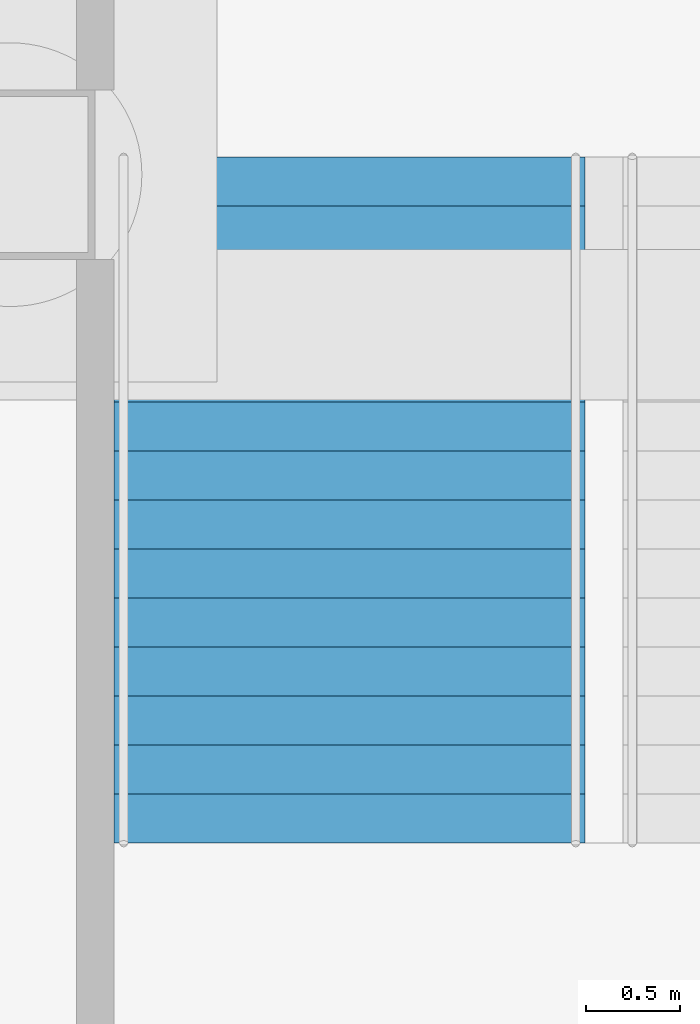
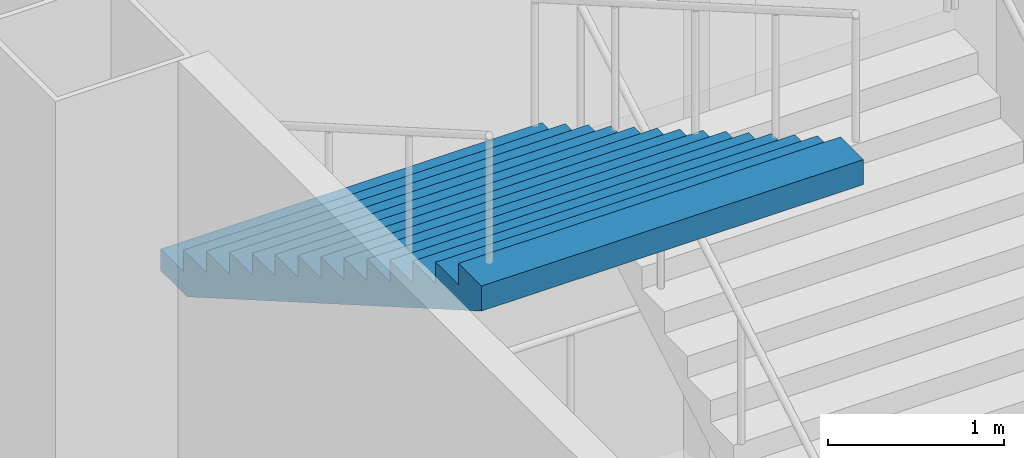
# One storey, part 49 of 113: 1 stair flight, 1 element without a shape of its own.
"""IFC4 building model written with IfcOpenShell, lengths in metres."""

from ifc_helpers import new_model, si_unit, direction, frame, origin, place, context, subcontext, project, spatial, triangles, material, type_object, element, aggregate, save


model = new_model("IFC4")

# Units and contexts
model_context = context("Model", 3, precision=1e-05, world=origin(), true_north=direction((0.0, 1.0)))
body_context = subcontext(model_context, "Body", "Model", "MODEL_VIEW")
ifc_project = project(units=[si_unit("LENGTHUNIT", "METRE"), si_unit("AREAUNIT", "SQUARE_METRE"), si_unit("VOLUMEUNIT", "CUBIC_METRE"), si_unit("PLANEANGLEUNIT", "RADIAN"), si_unit("MASSUNIT", "GRAM", prefix="KILO")], contexts=[model_context])

# Site, building, storey
site_placement = place(None, origin())
site = spatial("IfcSite", under=ifc_project, at=site_placement, CompositionType="ELEMENT")
building_placement = place(site_placement, origin())
building = spatial("IfcBuilding", under=site, at=building_placement, Name="Hakoniwa Tower and Hamabe Station Hall", CompositionType="ELEMENT")
storey_placement = place(building_placement, origin())
storey = spatial("IfcBuildingStorey", under=building, at=storey_placement, Name="L01", CompositionType="ELEMENT", Elevation=0.0)

# Stair, stair flight
ifc_material_1 = material(Name="Concrete C40", Category="concrete")
stair_type = type_object("IfcStairType", Name="STAIR 2500 15X150", PredefinedType="HALF_TURN_STAIR", material=ifc_material_1)
stair_placement = place(storey_placement, origin())
stair = element("IfcStair", 1, at=stair_placement, inside=storey, type_object=stair_type, Name="Escape stair PS4", PredefinedType="HALF_TURN_STAIR")
ifc_material_2 = material(Name="Concrete C40", Category="concrete")
stair_flight_type = type_object("IfcStairFlightType", Name="STAIR FLIGHT 2500", PredefinedType="STRAIGHT", material=ifc_material_2)
stair_flight_placement = place(storey_placement, frame((-47.800048828125, -18.7099609375, 6.75), z_axis=(0.0, 0.0, 1.0), x_axis=(0.0, -1.0, 0.0)))
stair_flight = element("IfcStairFlight", 2, at=stair_flight_placement, type_object=stair_flight_type, Name="PS4 flight 4", NumberOfRisers=15, NumberOfTreads=14, PredefinedType="STRAIGHT", RiserHeight=0.15, TreadLength=0.26, context=body_context, shape_type="Tessellation", body=[
    triangles([(0.0, 1.25, 0.0), (0.260009765625, 1.25, 0.0), (0.300048828125, 1.25, 0.0), (0.52001953125, 1.25, 0.126953125), (0.780029296875, 1.25, 0.27685546875), (1.0400390625, 1.25, 0.427001953125), (1.300048828125, 1.25, 0.576904296875), (1.56005859375, 1.25, 0.72705078125), (1.820068359375, 1.25, 0.876953125), (2.080078125, 1.25, 1.02685546875), (2.340087890625, 1.25, 1.177001953125), (2.60009765625, 1.25, 1.326904296875), (2.860107421875, 1.25, 1.47705078125), (3.1201171875, 1.25, 1.626953125), (3.3798828125, 1.25, 1.77685546875), (3.639892578125, 1.25, 1.927001953125), (3.639892578125, 1.25, 2.10009765625), (3.3798828125, 1.25, 2.10009765625), (3.3798828125, 1.25, 1.949951171875), (3.1201171875, 1.25, 1.949951171875), (3.1201171875, 1.25, 1.800048828125), (2.860107421875, 1.25, 1.800048828125), (2.860107421875, 1.25, 1.64990234375), (2.60009765625, 1.25, 1.64990234375), (2.60009765625, 1.25, 1.5), (2.340087890625, 1.25, 1.5), (2.340087890625, 1.25, 1.35009765625), (2.080078125, 1.25, 1.35009765625), (2.080078125, 1.25, 1.199951171875), (1.820068359375, 1.25, 1.199951171875), (1.820068359375, 1.25, 1.050048828125), (1.56005859375, 1.25, 1.050048828125), (1.56005859375, 1.25, 0.89990234375), (1.300048828125, 1.25, 0.89990234375), (1.300048828125, 1.25, 0.75), (1.0400390625, 1.25, 0.75), (1.0400390625, 1.25, 0.60009765625), (0.780029296875, 1.25, 0.60009765625), (0.780029296875, 1.25, 0.449951171875), (0.52001953125, 1.25, 0.449951171875), (0.52001953125, 1.25, 0.300048828125), (0.300048828125, 1.25, 0.300048828125), (0.260009765625, 1.25, 0.300048828125), (0.260009765625, 1.25, 0.14990234375), (0.0, 1.25, 0.14990234375), (0.0, 0.06005859375, 0.0), (0.260009765625, 0.06005859375, 0.0), (0.300048828125, 0.06005859375, 0.0), (0.52001953125, 0.06005859375, 0.126953125), (0.780029296875, 0.06005859375, 0.27685546875), (1.0400390625, 0.06005859375, 0.427001953125), (1.300048828125, 0.06005859375, 0.576904296875), (1.56005859375, 0.06005859375, 0.72705078125), (1.820068359375, 0.06005859375, 0.876953125), (2.080078125, 0.06005859375, 1.02685546875), (2.340087890625, 0.06005859375, 1.177001953125), (2.60009765625, 0.06005859375, 1.326904296875), (2.860107421875, 0.06005859375, 1.47705078125), (3.1201171875, 0.06005859375, 1.626953125), (3.3798828125, 0.06005859375, 1.77685546875), (3.639892578125, 0.06005859375, 1.927001953125), (3.639892578125, 0.06005859375, 2.10009765625), (3.3798828125, 0.06005859375, 2.10009765625), (3.3798828125, 0.06005859375, 1.949951171875), (3.1201171875, 0.06005859375, 1.949951171875), (3.1201171875, 0.06005859375, 1.800048828125), (2.860107421875, 0.06005859375, 1.800048828125), (2.860107421875, 0.06005859375, 1.64990234375), (2.60009765625, 0.06005859375, 1.64990234375), (2.60009765625, 0.06005859375, 1.5), (2.340087890625, 0.06005859375, 1.5), (2.340087890625, 0.06005859375, 1.35009765625), (2.080078125, 0.06005859375, 1.35009765625), (2.080078125, 0.06005859375, 1.199951171875), (1.820068359375, 0.06005859375, 1.199951171875), (1.820068359375, 0.06005859375, 1.050048828125), (1.56005859375, 0.06005859375, 1.050048828125), (1.56005859375, 0.06005859375, 0.89990234375), (1.300048828125, 0.06005859375, 0.89990234375), (1.300048828125, 0.06005859375, 0.75), (1.0400390625, 0.06005859375, 0.75), (1.0400390625, 0.06005859375, 0.60009765625), (0.780029296875, 0.06005859375, 0.60009765625), (0.780029296875, 0.06005859375, 0.449951171875), (0.52001953125, 0.06005859375, 0.449951171875), (0.52001953125, 0.06005859375, 0.300048828125), (0.300048828125, 0.06005859375, 0.300048828125), (0.260009765625, 0.06005859375, 0.300048828125), (0.260009765625, 0.06005859375, 0.14990234375), (0.0, 0.06005859375, 0.14990234375), (0.0, 0.02001953125, 0.0), (0.260009765625, 0.02001953125, 0.0), (0.300048828125, 0.02001953125, 0.0), (0.52001953125, 0.02001953125, 0.126953125), (0.780029296875, 0.02001953125, 0.27685546875), (1.0400390625, 0.02001953125, 0.427001953125), (1.300048828125, 0.02001953125, 0.576904296875), (1.56005859375, 0.02001953125, 0.72705078125), (1.820068359375, 0.02001953125, 0.876953125), (2.080078125, 0.02001953125, 1.02685546875), (2.340087890625, 0.02001953125, 1.177001953125), (2.60009765625, 0.02001953125, 1.326904296875), (2.860107421875, 0.02001953125, 1.47705078125), (3.1201171875, 0.02001953125, 1.626953125), (3.3798828125, 0.02001953125, 1.77685546875), (3.639892578125, 0.02001953125, 1.927001953125), (3.639892578125, 0.02001953125, 2.10009765625), (3.3798828125, 0.02001953125, 2.10009765625), (3.3798828125, 0.02001953125, 1.949951171875), (3.1201171875, 0.02001953125, 1.949951171875), (3.1201171875, 0.02001953125, 1.800048828125), (2.860107421875, 0.02001953125, 1.800048828125), (2.860107421875, 0.02001953125, 1.64990234375), (2.60009765625, 0.02001953125, 1.64990234375), (2.60009765625, 0.02001953125, 1.5), (2.340087890625, 0.02001953125, 1.5), (2.340087890625, 0.02001953125, 1.35009765625), (2.080078125, 0.02001953125, 1.35009765625), (2.080078125, 0.02001953125, 1.199951171875), (1.820068359375, 0.02001953125, 1.199951171875), (1.820068359375, 0.02001953125, 1.050048828125), (1.56005859375, 0.02001953125, 1.050048828125), (1.56005859375, 0.02001953125, 0.89990234375), (1.300048828125, 0.02001953125, 0.89990234375), (1.300048828125, 0.02001953125, 0.75), (1.0400390625, 0.02001953125, 0.75), (1.0400390625, 0.02001953125, 0.60009765625), (0.780029296875, 0.02001953125, 0.60009765625), (0.780029296875, 0.02001953125, 0.449951171875), (0.52001953125, 0.02001953125, 0.449951171875), (0.52001953125, 0.02001953125, 0.300048828125), (0.300048828125, 0.02001953125, 0.300048828125), (0.260009765625, 0.02001953125, 0.300048828125), (0.260009765625, 0.02001953125, 0.14990234375), (0.0, 0.02001953125, 0.14990234375), (0.0, -0.02001953125, 0.0), (0.260009765625, -0.02001953125, 0.0), (0.300048828125, -0.02001953125, 0.0), (0.52001953125, -0.02001953125, 0.126953125), (0.780029296875, -0.02001953125, 0.27685546875), (1.0400390625, -0.02001953125, 0.427001953125), (1.300048828125, -0.02001953125, 0.576904296875), (1.56005859375, -0.02001953125, 0.72705078125), (1.820068359375, -0.02001953125, 0.876953125), (2.080078125, -0.02001953125, 1.02685546875), (2.340087890625, -0.02001953125, 1.177001953125), (2.60009765625, -0.02001953125, 1.326904296875), (2.860107421875, -0.02001953125, 1.47705078125), (3.1201171875, -0.02001953125, 1.626953125), (3.3798828125, -0.02001953125, 1.77685546875), (3.639892578125, -0.02001953125, 1.927001953125), (3.639892578125, -0.02001953125, 2.10009765625), (3.3798828125, -0.02001953125, 2.10009765625), (3.3798828125, -0.02001953125, 1.949951171875), (3.1201171875, -0.02001953125, 1.949951171875), (3.1201171875, -0.02001953125, 1.800048828125), (2.860107421875, -0.02001953125, 1.800048828125), (2.860107421875, -0.02001953125, 1.64990234375), (2.60009765625, -0.02001953125, 1.64990234375), (2.60009765625, -0.02001953125, 1.5), (2.340087890625, -0.02001953125, 1.5), (2.340087890625, -0.02001953125, 1.35009765625), (2.080078125, -0.02001953125, 1.35009765625), (2.080078125, -0.02001953125, 1.199951171875), (1.820068359375, -0.02001953125, 1.199951171875), (1.820068359375, -0.02001953125, 1.050048828125), (1.56005859375, -0.02001953125, 1.050048828125), (1.56005859375, -0.02001953125, 0.89990234375), (1.300048828125, -0.02001953125, 0.89990234375), (1.300048828125, -0.02001953125, 0.75), (1.0400390625, -0.02001953125, 0.75), (1.0400390625, -0.02001953125, 0.60009765625), (0.780029296875, -0.02001953125, 0.60009765625), (0.780029296875, -0.02001953125, 0.449951171875), (0.52001953125, -0.02001953125, 0.449951171875), (0.52001953125, -0.02001953125, 0.300048828125), (0.300048828125, -0.02001953125, 0.300048828125), (0.260009765625, -0.02001953125, 0.300048828125), (0.260009765625, -0.02001953125, 0.14990234375), (0.0, -0.02001953125, 0.14990234375), (0.0, -0.06005859375, 0.0), (0.260009765625, -0.06005859375, 0.0), (0.300048828125, -0.06005859375, 0.0), (0.52001953125, -0.06005859375, 0.126953125), (0.780029296875, -0.06005859375, 0.27685546875), (1.0400390625, -0.06005859375, 0.427001953125), (1.300048828125, -0.06005859375, 0.576904296875), (1.56005859375, -0.06005859375, 0.72705078125), (1.820068359375, -0.06005859375, 0.876953125), (2.080078125, -0.06005859375, 1.02685546875), (2.340087890625, -0.06005859375, 1.177001953125), (2.60009765625, -0.06005859375, 1.326904296875), (2.860107421875, -0.06005859375, 1.47705078125), (3.1201171875, -0.06005859375, 1.626953125), (3.3798828125, -0.06005859375, 1.77685546875), (3.639892578125, -0.06005859375, 1.927001953125), (3.639892578125, -0.06005859375, 2.10009765625), (3.3798828125, -0.06005859375, 2.10009765625), (3.3798828125, -0.06005859375, 1.949951171875), (3.1201171875, -0.06005859375, 1.949951171875), (3.1201171875, -0.06005859375, 1.800048828125), (2.860107421875, -0.06005859375, 1.800048828125), (2.860107421875, -0.06005859375, 1.64990234375), (2.60009765625, -0.06005859375, 1.64990234375), (2.60009765625, -0.06005859375, 1.5), (2.340087890625, -0.06005859375, 1.5), (2.340087890625, -0.06005859375, 1.35009765625), (2.080078125, -0.06005859375, 1.35009765625), (2.080078125, -0.06005859375, 1.199951171875), (1.820068359375, -0.06005859375, 1.199951171875), (1.820068359375, -0.06005859375, 1.050048828125), (1.56005859375, -0.06005859375, 1.050048828125), (1.56005859375, -0.06005859375, 0.89990234375), (1.300048828125, -0.06005859375, 0.89990234375), (1.300048828125, -0.06005859375, 0.75), (1.0400390625, -0.06005859375, 0.75), (1.0400390625, -0.06005859375, 0.60009765625), (0.780029296875, -0.06005859375, 0.60009765625), (0.780029296875, -0.06005859375, 0.449951171875), (0.52001953125, -0.06005859375, 0.449951171875), (0.52001953125, -0.06005859375, 0.300048828125), (0.300048828125, -0.06005859375, 0.300048828125), (0.260009765625, -0.06005859375, 0.300048828125), (0.260009765625, -0.06005859375, 0.14990234375), (0.0, -0.06005859375, 0.14990234375), (0.0, -1.25, 0.0), (0.260009765625, -1.25, 0.0), (0.300048828125, -1.25, 0.0), (0.52001953125, -1.25, 0.126953125), (0.780029296875, -1.25, 0.27685546875), (1.0400390625, -1.25, 0.427001953125), (1.300048828125, -1.25, 0.576904296875), (1.56005859375, -1.25, 0.72705078125), (1.820068359375, -1.25, 0.876953125), (2.080078125, -1.25, 1.02685546875), (2.340087890625, -1.25, 1.177001953125), (2.60009765625, -1.25, 1.326904296875), (2.860107421875, -1.25, 1.47705078125), (3.1201171875, -1.25, 1.626953125), (3.3798828125, -1.25, 1.77685546875), (3.639892578125, -1.25, 1.927001953125), (3.639892578125, -1.25, 2.10009765625), (3.3798828125, -1.25, 2.10009765625), (3.3798828125, -1.25, 1.949951171875), (3.1201171875, -1.25, 1.949951171875), (3.1201171875, -1.25, 1.800048828125), (2.860107421875, -1.25, 1.800048828125), (2.860107421875, -1.25, 1.64990234375), (2.60009765625, -1.25, 1.64990234375), (2.60009765625, -1.25, 1.5), (2.340087890625, -1.25, 1.5), (2.340087890625, -1.25, 1.35009765625), (2.080078125, -1.25, 1.35009765625), (2.080078125, -1.25, 1.199951171875), (1.820068359375, -1.25, 1.199951171875), (1.820068359375, -1.25, 1.050048828125), (1.56005859375, -1.25, 1.050048828125), (1.56005859375, -1.25, 0.89990234375), (1.300048828125, -1.25, 0.89990234375), (1.300048828125, -1.25, 0.75), (1.0400390625, -1.25, 0.75), (1.0400390625, -1.25, 0.60009765625), (0.780029296875, -1.25, 0.60009765625), (0.780029296875, -1.25, 0.449951171875), (0.52001953125, -1.25, 0.449951171875), (0.52001953125, -1.25, 0.300048828125), (0.300048828125, -1.25, 0.300048828125), (0.260009765625, -1.25, 0.300048828125), (0.260009765625, -1.25, 0.14990234375), (0.0, -1.25, 0.14990234375)], [[2, 45, 44], [227, 269, 270], [2, 1, 45], [227, 270, 226], [3, 43, 42], [228, 267, 268], [3, 44, 43], [228, 268, 269], [3, 2, 44], [228, 269, 227], [4, 42, 41], [229, 266, 267], [4, 3, 42], [229, 267, 228], [5, 40, 39], [230, 264, 265], [5, 41, 40], [230, 265, 266], [5, 4, 41], [230, 266, 229], [6, 38, 37], [231, 262, 263], [6, 39, 38], [231, 263, 264], [6, 5, 39], [231, 264, 230], [7, 36, 35], [232, 260, 261], [7, 37, 36], [232, 261, 262], [7, 6, 37], [232, 262, 231], [8, 34, 33], [233, 258, 259], [8, 35, 34], [233, 259, 260], [8, 7, 35], [233, 260, 232], [9, 32, 31], [234, 256, 257], [9, 33, 32], [234, 257, 258], [9, 8, 33], [234, 258, 233], [10, 30, 29], [235, 254, 255], [10, 31, 30], [235, 255, 256], [10, 9, 31], [235, 256, 234], [11, 28, 27], [236, 252, 253], [11, 29, 28], [236, 253, 254], [11, 10, 29], [236, 254, 235], [12, 26, 25], [237, 250, 251], [12, 27, 26], [237, 251, 252], [12, 11, 27], [237, 252, 236], [13, 24, 23], [238, 248, 249], [13, 25, 24], [238, 249, 250], [13, 12, 25], [238, 250, 237], [14, 22, 21], [239, 246, 247], [14, 23, 22], [239, 247, 248], [14, 13, 23], [239, 248, 238], [15, 20, 19], [240, 244, 245], [15, 21, 20], [240, 245, 246], [15, 14, 21], [240, 246, 239], [16, 18, 17], [241, 242, 243], [16, 19, 18], [241, 243, 244], [16, 15, 19], [241, 244, 240], [1, 2, 47], [1, 47, 46], [46, 47, 92], [46, 92, 91], [91, 92, 137], [91, 137, 136], [136, 137, 182], [136, 182, 181], [181, 182, 227], [181, 227, 226], [2, 3, 48], [2, 48, 47], [47, 48, 93], [47, 93, 92], [92, 93, 138], [92, 138, 137], [137, 138, 183], [137, 183, 182], [182, 183, 228], [182, 228, 227], [3, 4, 49], [3, 49, 48], [48, 49, 94], [48, 94, 93], [93, 94, 139], [93, 139, 138], [138, 139, 184], [138, 184, 183], [183, 184, 229], [183, 229, 228], [4, 5, 50], [4, 50, 49], [49, 50, 95], [49, 95, 94], [94, 95, 140], [94, 140, 139], [139, 140, 185], [139, 185, 184], [184, 185, 230], [184, 230, 229], [5, 6, 51], [5, 51, 50], [50, 51, 96], [50, 96, 95], [95, 96, 141], [95, 141, 140], [140, 141, 186], [140, 186, 185], [185, 186, 231], [185, 231, 230], [6, 7, 52], [6, 52, 51], [51, 52, 97], [51, 97, 96], [96, 97, 142], [96, 142, 141], [141, 142, 187], [141, 187, 186], [186, 187, 232], [186, 232, 231], [7, 8, 53], [7, 53, 52], [52, 53, 98], [52, 98, 97], [97, 98, 143], [97, 143, 142], [142, 143, 188], [142, 188, 187], [187, 188, 233], [187, 233, 232], [8, 9, 54], [8, 54, 53], [53, 54, 99], [53, 99, 98], [98, 99, 144], [98, 144, 143], [143, 144, 189], [143, 189, 188], [188, 189, 234], [188, 234, 233], [9, 10, 55], [9, 55, 54], [54, 55, 100], [54, 100, 99], [99, 100, 145], [99, 145, 144], [144, 145, 190], [144, 190, 189], [189, 190, 235], [189, 235, 234], [10, 11, 56], [10, 56, 55], [55, 56, 101], [55, 101, 100], [100, 101, 146], [100, 146, 145], [145, 146, 191], [145, 191, 190], [190, 191, 236], [190, 236, 235], [11, 12, 57], [11, 57, 56], [56, 57, 102], [56, 102, 101], [101, 102, 147], [101, 147, 146], [146, 147, 192], [146, 192, 191], [191, 192, 237], [191, 237, 236], [12, 13, 58], [12, 58, 57], [57, 58, 103], [57, 103, 102], [102, 103, 148], [102, 148, 147], [147, 148, 193], [147, 193, 192], [192, 193, 238], [192, 238, 237], [13, 14, 59], [13, 59, 58], [58, 59, 104], [58, 104, 103], [103, 104, 149], [103, 149, 148], [148, 149, 194], [148, 194, 193], [193, 194, 239], [193, 239, 238], [14, 15, 60], [14, 60, 59], [59, 60, 105], [59, 105, 104], [104, 105, 150], [104, 150, 149], [149, 150, 195], [149, 195, 194], [194, 195, 240], [194, 240, 239], [15, 16, 61], [15, 61, 60], [60, 61, 106], [60, 106, 105], [105, 106, 151], [105, 151, 150], [150, 151, 196], [150, 196, 195], [195, 196, 241], [195, 241, 240], [16, 17, 62], [16, 62, 61], [61, 62, 107], [61, 107, 106], [106, 107, 152], [106, 152, 151], [151, 152, 197], [151, 197, 196], [196, 197, 242], [196, 242, 241], [17, 18, 63], [17, 63, 62], [62, 63, 108], [62, 108, 107], [107, 108, 153], [107, 153, 152], [152, 153, 198], [152, 198, 197], [197, 198, 243], [197, 243, 242], [18, 19, 64], [18, 64, 63], [63, 64, 109], [63, 109, 108], [108, 109, 154], [108, 154, 153], [153, 154, 199], [153, 199, 198], [198, 199, 244], [198, 244, 243], [19, 20, 65], [19, 65, 64], [64, 65, 110], [64, 110, 109], [109, 110, 155], [109, 155, 154], [154, 155, 200], [154, 200, 199], [199, 200, 245], [199, 245, 244], [20, 21, 66], [20, 66, 65], [65, 66, 111], [65, 111, 110], [110, 111, 156], [110, 156, 155], [155, 156, 201], [155, 201, 200], [200, 201, 246], [200, 246, 245], [21, 22, 67], [21, 67, 66], [66, 67, 112], [66, 112, 111], [111, 112, 157], [111, 157, 156], [156, 157, 202], [156, 202, 201], [201, 202, 247], [201, 247, 246], [22, 23, 68], [22, 68, 67], [67, 68, 113], [67, 113, 112], [112, 113, 158], [112, 158, 157], [157, 158, 203], [157, 203, 202], [202, 203, 248], [202, 248, 247], [23, 24, 69], [23, 69, 68], [68, 69, 114], [68, 114, 113], [113, 114, 159], [113, 159, 158], [158, 159, 204], [158, 204, 203], [203, 204, 249], [203, 249, 248], [24, 25, 70], [24, 70, 69], [69, 70, 115], [69, 115, 114], [114, 115, 160], [114, 160, 159], [159, 160, 205], [159, 205, 204], [204, 205, 250], [204, 250, 249], [25, 26, 71], [25, 71, 70], [70, 71, 116], [70, 116, 115], [115, 116, 161], [115, 161, 160], [160, 161, 206], [160, 206, 205], [205, 206, 251], [205, 251, 250], [26, 27, 72], [26, 72, 71], [71, 72, 117], [71, 117, 116], [116, 117, 162], [116, 162, 161], [161, 162, 207], [161, 207, 206], [206, 207, 252], [206, 252, 251], [27, 28, 73], [27, 73, 72], [72, 73, 118], [72, 118, 117], [117, 118, 163], [117, 163, 162], [162, 163, 208], [162, 208, 207], [207, 208, 253], [207, 253, 252], [28, 29, 74], [28, 74, 73], [73, 74, 119], [73, 119, 118], [118, 119, 164], [118, 164, 163], [163, 164, 209], [163, 209, 208], [208, 209, 254], [208, 254, 253], [29, 30, 75], [29, 75, 74], [74, 75, 120], [74, 120, 119], [119, 120, 165], [119, 165, 164], [164, 165, 210], [164, 210, 209], [209, 210, 255], [209, 255, 254], [30, 31, 76], [30, 76, 75], [75, 76, 121], [75, 121, 120], [120, 121, 166], [120, 166, 165], [165, 166, 211], [165, 211, 210], [210, 211, 256], [210, 256, 255], [31, 32, 77], [31, 77, 76], [76, 77, 122], [76, 122, 121], [121, 122, 167], [121, 167, 166], [166, 167, 212], [166, 212, 211], [211, 212, 257], [211, 257, 256], [32, 33, 78], [32, 78, 77], [77, 78, 123], [77, 123, 122], [122, 123, 168], [122, 168, 167], [167, 168, 213], [167, 213, 212], [212, 213, 258], [212, 258, 257], [33, 34, 79], [33, 79, 78], [78, 79, 124], [78, 124, 123], [123, 124, 169], [123, 169, 168], [168, 169, 214], [168, 214, 213], [213, 214, 259], [213, 259, 258], [34, 35, 80], [34, 80, 79], [79, 80, 125], [79, 125, 124], [124, 125, 170], [124, 170, 169], [169, 170, 215], [169, 215, 214], [214, 215, 260], [214, 260, 259], [35, 36, 81], [35, 81, 80], [80, 81, 126], [80, 126, 125], [125, 126, 171], [125, 171, 170], [170, 171, 216], [170, 216, 215], [215, 216, 261], [215, 261, 260], [36, 37, 82], [36, 82, 81], [81, 82, 127], [81, 127, 126], [126, 127, 172], [126, 172, 171], [171, 172, 217], [171, 217, 216], [216, 217, 262], [216, 262, 261], [37, 38, 83], [37, 83, 82], [82, 83, 128], [82, 128, 127], [127, 128, 173], [127, 173, 172], [172, 173, 218], [172, 218, 217], [217, 218, 263], [217, 263, 262], [38, 39, 84], [38, 84, 83], [83, 84, 129], [83, 129, 128], [128, 129, 174], [128, 174, 173], [173, 174, 219], [173, 219, 218], [218, 219, 264], [218, 264, 263], [39, 40, 85], [39, 85, 84], [84, 85, 130], [84, 130, 129], [129, 130, 175], [129, 175, 174], [174, 175, 220], [174, 220, 219], [219, 220, 265], [219, 265, 264], [40, 41, 86], [40, 86, 85], [85, 86, 131], [85, 131, 130], [130, 131, 176], [130, 176, 175], [175, 176, 221], [175, 221, 220], [220, 221, 266], [220, 266, 265], [41, 42, 87], [41, 87, 86], [86, 87, 132], [86, 132, 131], [131, 132, 177], [131, 177, 176], [176, 177, 222], [176, 222, 221], [221, 222, 267], [221, 267, 266], [42, 43, 88], [42, 88, 87], [87, 88, 133], [87, 133, 132], [132, 133, 178], [132, 178, 177], [177, 178, 223], [177, 223, 222], [222, 223, 268], [222, 268, 267], [43, 44, 89], [43, 89, 88], [88, 89, 134], [88, 134, 133], [133, 134, 179], [133, 179, 178], [178, 179, 224], [178, 224, 223], [223, 224, 269], [223, 269, 268], [44, 45, 90], [44, 90, 89], [89, 90, 135], [89, 135, 134], [134, 135, 180], [134, 180, 179], [179, 180, 225], [179, 225, 224], [224, 225, 270], [224, 270, 269], [45, 1, 46], [45, 46, 90], [90, 46, 91], [90, 91, 135], [135, 91, 136], [135, 136, 180], [180, 136, 181], [180, 181, 225], [225, 181, 226], [225, 226, 270]], closed=True),
])
aggregate(stair, [stair_flight])

save(model, "model.ifc")
